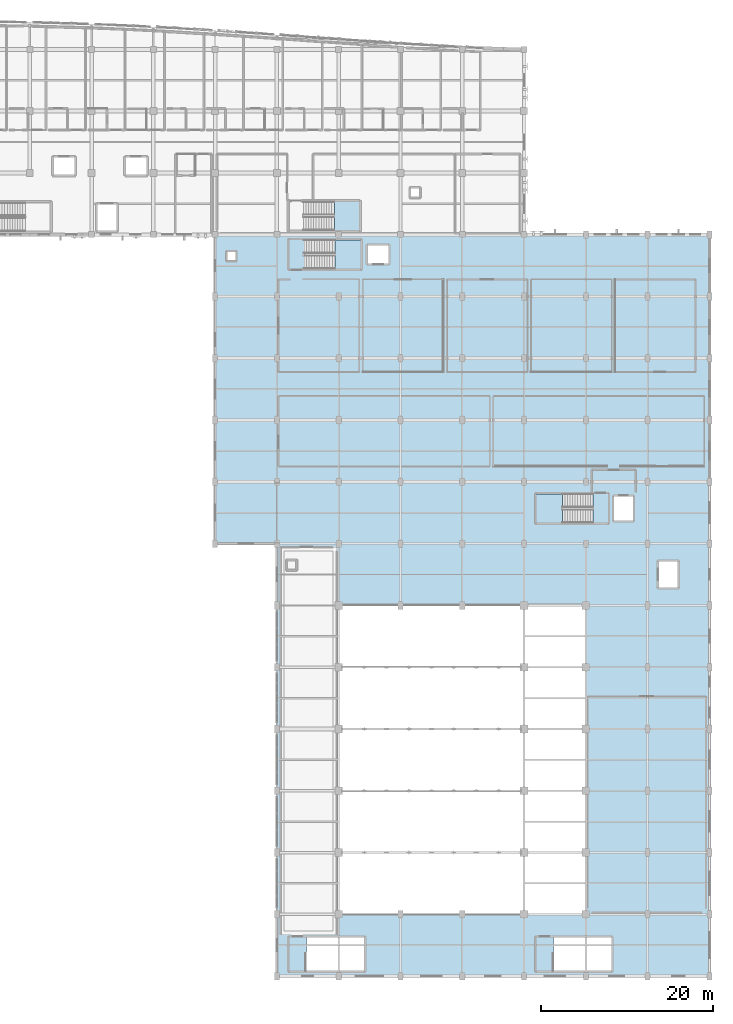
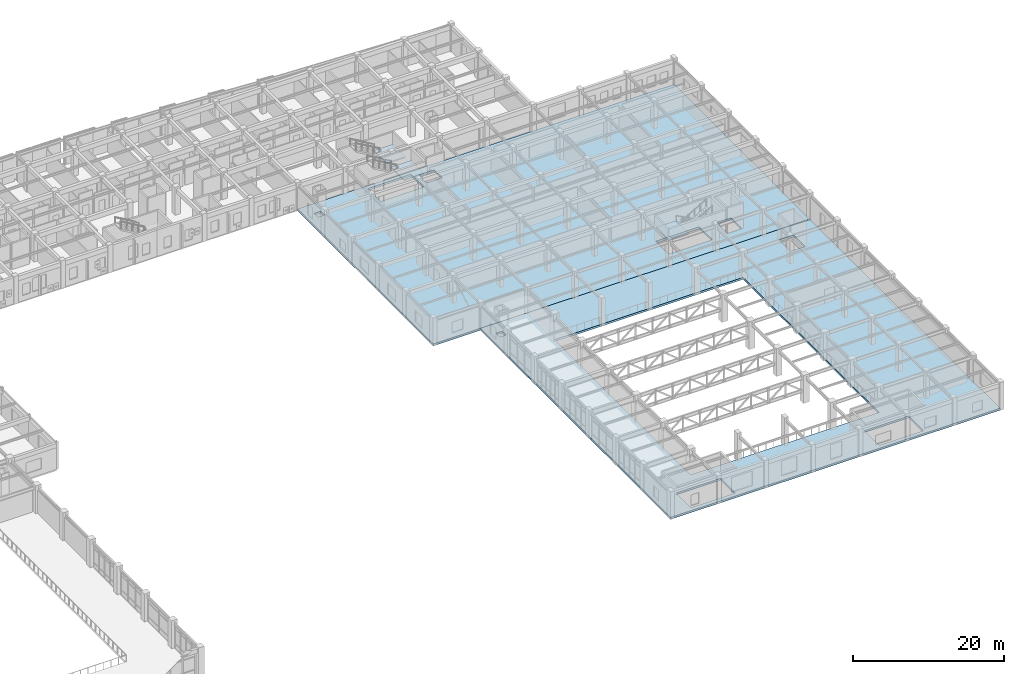
# One storey, part 68 of 106: 5 slabs, 3 elements without a shape of their own.
"""IFC4 building model written with IfcOpenShell, lengths in metres."""

from ifc_helpers import new_model, si_unit, direction, frame, origin, place, context, subcontext, project, spatial, polyline, outline, extrude, material, layer, layer_set, type_object, element, aggregate, save


model = new_model("IFC4")

# Units and contexts
model_context = context("Model", 3, precision=1e-05, world=origin(), true_north=direction((0.0, 1.0)))
body_context = subcontext(model_context, "Body", "Model", "MODEL_VIEW")
ifc_project = project(units=[si_unit("LENGTHUNIT", "METRE"), si_unit("AREAUNIT", "SQUARE_METRE"), si_unit("VOLUMEUNIT", "CUBIC_METRE"), si_unit("PLANEANGLEUNIT", "RADIAN"), si_unit("MASSUNIT", "GRAM", prefix="KILO")], contexts=[model_context])

# Site, building, storey
site_placement = place(None, origin())
site = spatial("IfcSite", under=ifc_project, at=site_placement, CompositionType="ELEMENT")
building_placement = place(site_placement, origin())
building = spatial("IfcBuilding", under=site, at=building_placement, Name="Carrowvane Square Congress Hotel", CompositionType="ELEMENT")
storey_placement = place(building_placement, frame((0.0, 0.0, 10.5)))
storey = spatial("IfcBuildingStorey", under=building, at=storey_placement, Name="L02", CompositionType="ELEMENT", Elevation=10.5)

# Slabs
ifc_material_1 = material(Name="Concrete C35/45", Category="concrete")
ifc_layer_1 = layer(ifc_material_1, 0.320068359375)
ifc_layer_set_1 = layer_set([ifc_layer_1], Name="Concrete C35/45")
slab_type_1 = type_object("IfcSlabType", Name="SLB-FLR-320", PredefinedType="FLOOR", material=ifc_layer_set_1)
slab_1_placement = place(storey_placement, frame((0.0, 0.0, -0.320068359375)))
element("IfcSlab", 1, at=slab_1_placement, inside=storey, type_object=slab_type_1, Name="L02 V2 structural slab", PredefinedType="FLOOR", context=body_context, shape_type="SweptSolid", body=[
    extrude(outline(polyline([(134.0, 5.39990234375), (184.39990234375, 5.39990234375), (184.39990234375, 55.800048828125), (134.0, 55.800048828125), (134.0, 5.39990234375)]), holes=[polyline([(137.43994140625, 6.0), (144.199951171875, 6.0), (144.199951171875, 9.89990234375), (137.43994140625, 9.89990234375), (137.43994140625, 6.0)]), polyline([(166.239990234375, 6.0), (173.0, 6.0), (173.0, 9.89990234375), (166.239990234375, 9.89990234375), (166.239990234375, 6.0)]), polyline([(135.199951171875, 52.800048828125), (136.199951171875, 52.800048828125), (136.199951171875, 53.800048828125), (135.199951171875, 53.800048828125), (135.199951171875, 52.800048828125)]), polyline([(178.5, 50.699951171875), (180.699951171875, 50.699951171875), (180.699951171875, 53.699951171875), (178.5, 53.699951171875), (178.5, 50.699951171875)]), polyline([(141.199951171875, 12.60009765625), (170.0, 12.60009765625), (170.0, 48.60009765625), (141.199951171875, 48.60009765625), (141.199951171875, 12.60009765625)])]), origin(), (0.0, 0.0, 1.0), 0.320068359375),
])
slab_2_placement = place(storey_placement, frame((0.0, 0.0, -0.320068359375)))
element("IfcSlab", 2, at=slab_2_placement, inside=storey, type_object=slab_type_1, Name="L02 V3 structural slab", PredefinedType="FLOOR", context=body_context, shape_type="SweptSolid", body=[
    extrude(outline(polyline([(126.800048828125, 55.800048828125), (184.39990234375, 55.800048828125), (184.39990234375, 91.800048828125), (126.800048828125, 91.800048828125), (126.800048828125, 55.800048828125)]), holes=[polyline([(170.81005859375, 61.60009765625), (164.199951171875, 61.60009765625), (164.199951171875, 58.199951171875), (170.81005859375, 58.199951171875), (170.81005859375, 61.60009765625)]), polyline([(137.18994140625, 87.800048828125), (143.800048828125, 87.800048828125), (143.800048828125, 91.199951171875), (137.18994140625, 91.199951171875), (137.18994140625, 87.800048828125)]), polyline([(128.199951171875, 88.800048828125), (129.199951171875, 88.800048828125), (129.199951171875, 89.800048828125), (128.199951171875, 89.800048828125), (128.199951171875, 88.800048828125)]), polyline([(173.300048828125, 58.5), (175.5, 58.5), (175.5, 61.300048828125), (173.300048828125, 61.300048828125), (173.300048828125, 58.5)]), polyline([(144.60009765625, 88.449951171875), (147.0, 88.449951171875), (147.0, 90.550048828125), (144.60009765625, 90.550048828125), (144.60009765625, 88.449951171875)])]), origin(), (0.0, 0.0, 1.0), 0.320068359375),
])

# Stair, slab
ifc_material_2 = material(Name="Concrete C35/45", Category="concrete")
stair_type_1 = type_object("IfcStairType", Name="STR-DOG-05", PredefinedType="HALF_TURN_STAIR", material=ifc_material_2)
stair_1_placement = place(storey_placement, origin())
stair_1 = element("IfcStair", 3, at=stair_1_placement, inside=storey, type_object=stair_type_1, Name="L02 Core C4 East Congress Firefighting Stair", PredefinedType="HALF_TURN_STAIR")
ifc_material_3 = material(Name="Concrete C35/45", Category="concrete")
ifc_layer_2 = layer(ifc_material_3, 0.199951171875)
ifc_layer_set_2 = layer_set([ifc_layer_2], Name="Concrete C35/45")
slab_type_2 = type_object("IfcSlabType", Name="SLB-LND-200", PredefinedType="LANDING", material=ifc_layer_set_2)
slab_3_placement = place(storey_placement, frame((0.0, 0.0, 2.050048828125)))
slab_3 = element("IfcSlab", 4, at=slab_3_placement, type_object=slab_type_2, Name="ST4 landing 1", PredefinedType="LANDING", context=body_context, shape_type="SweptSolid", body=[
    extrude(outline(polyline([(167.25, 61.60009765625), (164.199951171875, 61.60009765625), (164.199951171875, 58.199951171875), (167.25, 58.199951171875), (167.25, 61.60009765625)])), origin(), (0.0, 0.0, 1.0), 0.199951171875),
])
aggregate(stair_1, [slab_3])

stair_2_placement = place(storey_placement, origin())
stair_2 = element("IfcStair", 5, at=stair_2_placement, inside=storey, type_object=stair_type_1, Name="L02 Meeting Wing Escape Stair", PredefinedType="HALF_TURN_STAIR")
slab_4_placement = place(storey_placement, frame((0.0, 0.0, 2.050048828125)))
slab_4 = element("IfcSlab", 6, at=slab_4_placement, type_object=slab_type_2, Name="ST8 landing 1", PredefinedType="LANDING", context=body_context, shape_type="SweptSolid", body=[
    extrude(outline(polyline([(140.75, 87.800048828125), (143.800048828125, 87.800048828125), (143.800048828125, 91.199951171875), (140.75, 91.199951171875), (140.75, 87.800048828125)])), origin(), (0.0, 0.0, 1.0), 0.199951171875),
])
aggregate(stair_2, [slab_4])

ifc_material_4 = material(Name="Concrete C35/45", Category="concrete")
stair_type_2 = type_object("IfcStairType", Name="STR-DOG-01", PredefinedType="HALF_TURN_STAIR", material=ifc_material_4)
stair_3_placement = place(storey_placement, origin())
stair_3 = element("IfcStair", 7, at=stair_3_placement, inside=storey, type_object=stair_type_2, Name="L02 East Hotel Wing Escape Stair", PredefinedType="HALF_TURN_STAIR")
slab_5_placement = place(storey_placement, frame((0.0, 0.0, 2.050048828125)))
slab_5 = element("IfcSlab", 8, at=slab_5_placement, type_object=slab_type_2, Name="ST12 landing 1", PredefinedType="LANDING", context=body_context, shape_type="SweptSolid", body=[
    extrude(outline(polyline([(140.679931640625, 92.300048828125), (143.60009765625, 92.300048828125), (143.60009765625, 95.659912109375), (140.679931640625, 95.659912109375), (140.679931640625, 92.300048828125)])), origin(), (0.0, 0.0, 1.0), 0.199951171875),
])
aggregate(stair_3, [slab_5])

save(model, "model.ifc")
